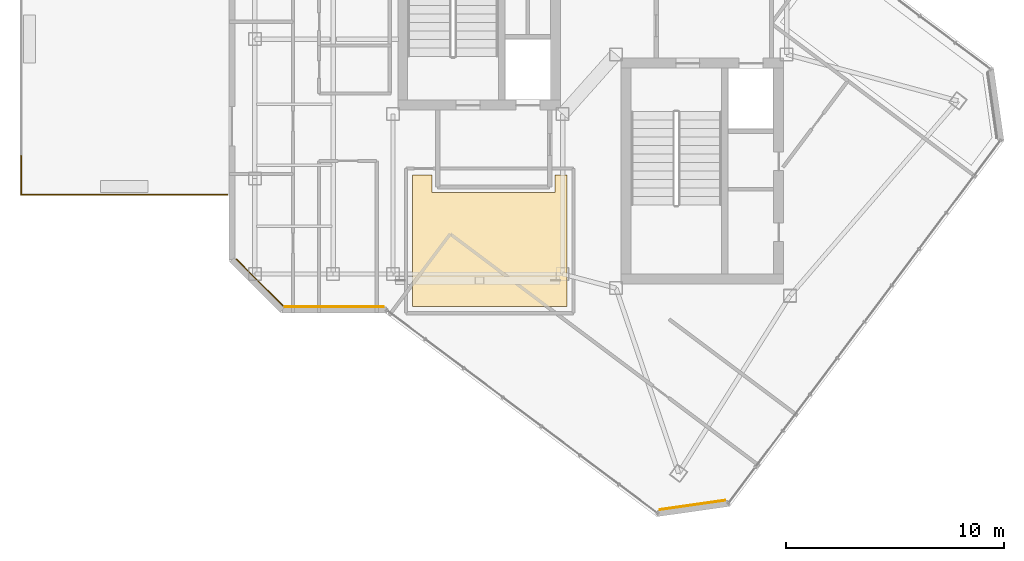
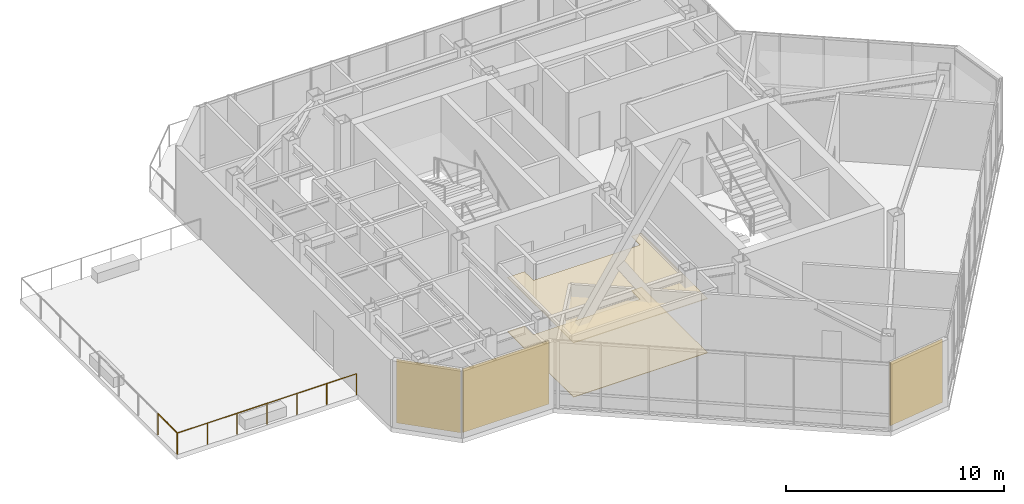
# One storey, part 19 of 21: 7 railings, 5 coverings.
"""IFC4 building model written with IfcOpenShell, lengths in metres."""

import ifcopenshell
import ifcopenshell.guid

model = None  # the IFC model being written
_history = None  # IfcOwnerHistory: only IFC2X3 demands one
_inside = {}  # id of a spatial element -> (the spatial element, [elements in it])
_under = {}  # id of a project, library or spatial element -> (it, [spatial elements below it])
_declared = {}  # id of a project -> (the project, [libraries it declares])
_typed = {}  # id of a type object -> (the type object, [elements of that type])
_made_of = {}  # id of a material, layer set ... -> (it, [elements and type objects made of it])


def new_model(schema):
    """Start an empty IFC model of exactly this schema.

    Asked for "IFC4X3", IfcOpenShell would pick the latest addendum, in which some entities
    have other attributes; the version numbers below select the first issue.
    IFC2X3 requires an IfcOwnerHistory on every rooted entity: one is made here for all.
    """
    global model, _history
    if schema == "IFC4X3":
        model = ifcopenshell.file(schema_version=(4, 3, 0, 0))
    else:
        model = ifcopenshell.file(schema=schema)
    _inside.clear()
    _under.clear()
    _declared.clear()
    _typed.clear()
    _made_of.clear()
    _history = None
    if model.schema == "IFC2X3":
        org = make("IfcOrganization", Name="unknown")
        user = make(
            "IfcPersonAndOrganization",
            ThePerson=make("IfcPerson", FamilyName="unknown"),
            TheOrganization=org,
        )
        app = make(
            "IfcApplication",
            ApplicationDeveloper=org,
            Version="unknown",
            ApplicationFullName="unknown",
            ApplicationIdentifier="unknown",
        )
        _history = make(
            "IfcOwnerHistory",
            OwningUser=user,
            OwningApplication=app,
            ChangeAction="ADDED",
            CreationDate=0,
        )
    return model


def make(cls, **values):
    """One entity of the class cls with the attributes given. An attribute that is None is left unset."""
    return model.create_entity(
        cls, **{name: value for name, value in values.items() if value is not None}
    )


def rooted(cls, **values):
    """An entity with a GlobalId (a new one), such as an element, a storey or a relation."""
    return make(cls, GlobalId=ifcopenshell.guid.new(), OwnerHistory=_history, **values)


def si_unit(unit_type, name, prefix=None):
    """IfcSIUnit, for example si_unit("LENGTHUNIT", "METRE", prefix="MILLI")."""
    return make("IfcSIUnit", UnitType=unit_type, Prefix=prefix, Name=name)


def assignment(units):
    """IfcUnitAssignment: the units of a project."""
    return None if units is None else make("IfcUnitAssignment", Units=units)


def point(xyz):
    """IfcCartesianPoint."""
    return None if xyz is None else make("IfcCartesianPoint", Coordinates=xyz)


def direction(xyz):
    """IfcDirection."""
    return None if xyz is None else make("IfcDirection", DirectionRatios=xyz)


def frame(location, z_axis=None, x_axis=None):
    """IfcAxis2Placement3D, a coordinate frame: its origin and axes. An axis left out is left unset."""
    return make(
        "IfcAxis2Placement3D",
        Location=point(location),
        Axis=direction(z_axis),
        RefDirection=direction(x_axis),
    )


def frame_2d(location, x_axis=None):
    """IfcAxis2Placement2D, a coordinate frame in the plane: its origin and x axis."""
    return make(
        "IfcAxis2Placement2D", Location=point(location), RefDirection=direction(x_axis)
    )


def origin():
    """The frame at (0, 0, 0) with its axes left unset."""
    return frame((0.0, 0.0, 0.0))


def origin_2d():
    """The frame at (0, 0) in the plane with its x axis left unset."""
    return frame_2d((0.0, 0.0))


def place(relative_to, where):
    """IfcLocalPlacement: puts the frame where relative to a parent placement (None: the world)."""
    return make(
        "IfcLocalPlacement", PlacementRelTo=relative_to, RelativePlacement=where
    )


def context(
    kind, dimensions, precision=None, world=None, true_north=None, identifier=None
):
    """IfcGeometricRepresentationContext, for example the 3D "Model" context."""
    return make(
        "IfcGeometricRepresentationContext",
        ContextIdentifier=identifier,
        ContextType=kind,
        CoordinateSpaceDimension=dimensions,
        Precision=precision,
        WorldCoordinateSystem=world,
        TrueNorth=true_north,
    )


def subcontext(parent, identifier, kind, view, scale=None):
    """IfcGeometricRepresentationSubContext, for example "Body" below "Model"."""
    return make(
        "IfcGeometricRepresentationSubContext",
        ContextIdentifier=identifier,
        ContextType=kind,
        ParentContext=parent,
        TargetScale=scale,
        TargetView=view,
    )


def project(units=None, contexts=None):
    """IfcProject with its units and contexts."""
    return rooted(
        "IfcProject",
        Name="project",
        RepresentationContexts=contexts,
        UnitsInContext=assignment(units),
    )


def spatial(cls, under=None, at=None, **own):
    """A site, building, storey or space (cls), placed at a placement, below another one or the project."""
    s = rooted(cls, ObjectPlacement=at, **own)
    if under is not None:
        _under.setdefault(under.id(), (under, []))[1].append(s)
    return s


def polyline(points):
    """IfcPolyline through the points."""
    return make("IfcPolyline", Points=[point(p) for p in points])


def profile(cls, at=None, kind="AREA", **sizes):
    """A parametric profile (cls). Its sizes go by their IFC names, for example OverallWidth=200.0."""
    return make(cls, ProfileType=kind, Position=at, **sizes)


def rectangle(**sizes):
    """IfcRectangleProfileDef."""
    return profile("IfcRectangleProfileDef", **sizes)


def circle(**sizes):
    """IfcCircleProfileDef."""
    return profile("IfcCircleProfileDef", **sizes)


def outline(outer, holes=None, kind="AREA"):
    """IfcArbitraryClosedProfileDef: a profile drawn as a closed curve; with holes, ...WithVoids."""
    if holes is None:
        return make("IfcArbitraryClosedProfileDef", ProfileType=kind, OuterCurve=outer)
    return make(
        "IfcArbitraryProfileDefWithVoids",
        ProfileType=kind,
        OuterCurve=outer,
        InnerCurves=holes,
    )


def extrude(swept, where, along, depth):
    """IfcExtrudedAreaSolid: the profile swept, set in the frame where, extruded along a direction by depth."""
    return make(
        "IfcExtrudedAreaSolid",
        SweptArea=swept,
        Position=where,
        ExtrudedDirection=direction(along),
        Depth=depth,
    )


def shape(context_of_items, identifier, shape_type, items):
    """IfcShapeRepresentation: the items that make up one representation, for example the "Body"."""
    return make(
        "IfcShapeRepresentation",
        ContextOfItems=context_of_items,
        RepresentationIdentifier=identifier,
        RepresentationType=shape_type,
        Items=items,
    )


def material(Name=None, Category=None):
    """IfcMaterial."""
    return make("IfcMaterial", Name=Name, Category=Category)


def layer(
    of_material, thickness, ventilated=None, Name=None, Category=None, Priority=None
):
    """IfcMaterialLayer: one layer of a wall or slab, of a material (None: an air gap)."""
    return make(
        "IfcMaterialLayer",
        Material=of_material,
        LayerThickness=thickness,
        IsVentilated=ventilated,
        Name=Name,
        Category=Category,
        Priority=Priority,
    )


def layer_set(layers, Name=None):
    """IfcMaterialLayerSet."""
    return make("IfcMaterialLayerSet", MaterialLayers=layers, LayerSetName=Name)


def made_of(thing, what):
    """Note that an element or type object is made of a material, layer set ...; save() writes the relation."""
    if what is not None:
        _made_of.setdefault(what.id(), (what, []))[1].append(thing)
    return thing


def type_object(cls, material=None, **own):
    """A type object (cls), such as IfcWallType, which elements share."""
    return made_of(rooted(cls, **own), material)


def element(
    cls,
    number,
    at=None,
    inside=None,
    cuts=None,
    type_object=None,
    material=None,
    context=None,
    identifier="Body",
    shape_type=None,
    held_by="IfcProductDefinitionShape",
    body=None,
    shapes=None,
    **own,
):
    """One element of the class cls, such as IfcWall. Its Tag is "e" and its number.

    at: its placement. inside: the storey or other place that contains it. cuts: it is an
    opening in that element (IfcRelVoidsElement). A single representation is given by context,
    identifier, shape_type and body (its items); several are given by shapes. held_by: the class
    of the entity that holds the representations. save() writes the other relations.
    """
    e = rooted(cls, Tag="e%d" % number, ObjectPlacement=at, **own)
    if body is not None:
        shapes = [shape(context, identifier, shape_type, body)]
    if shapes is not None:
        e.Representation = make(held_by, Representations=shapes)
    if inside is not None:
        _inside.setdefault(inside.id(), (inside, []))[1].append(e)
    if cuts is not None:
        rooted(
            "IfcRelVoidsElement", RelatingBuildingElement=cuts, RelatedOpeningElement=e
        )
    if type_object is not None:
        _typed.setdefault(type_object.id(), (type_object, []))[1].append(e)
    return made_of(e, material)


def aggregate(whole, parts):
    """IfcRelAggregates: a whole, such as a stair, and the parts it consists of."""
    return rooted("IfcRelAggregates", RelatingObject=whole, RelatedObjects=parts)


def save(model, path):
    """Write the relations noted so far, then the file.

    IfcRelAggregates (storeys below a building ...), IfcRelContainedInSpatialStructure (elements
    in a storey), IfcRelDefinesByType, IfcRelAssociatesMaterial and IfcRelDeclares: one each for
    every whole, place, type object, material and project.
    """
    for whole, parts in _under.values():
        aggregate(whole, parts)
    for where, things in _inside.values():
        rooted(
            "IfcRelContainedInSpatialStructure",
            RelatedElements=things,
            RelatingStructure=where,
        )
    for kind, things in _typed.values():
        rooted("IfcRelDefinesByType", RelatedObjects=things, RelatingType=kind)
    for what, things in _made_of.values():
        rooted("IfcRelAssociatesMaterial", RelatedObjects=things, RelatingMaterial=what)
    for by, libraries in _declared.values():
        rooted("IfcRelDeclares", RelatingContext=by, RelatedDefinitions=libraries)
    model.write(path)


model = new_model("IFC4")

# Units and contexts
model_context = context("Model", 3, precision=1e-05, world=origin(), true_north=direction((0.0, 1.0)))
body_context = subcontext(model_context, "Body", "Model", "MODEL_VIEW")
ifc_project = project(units=[si_unit("LENGTHUNIT", "METRE"), si_unit("AREAUNIT", "SQUARE_METRE"), si_unit("VOLUMEUNIT", "CUBIC_METRE"), si_unit("PLANEANGLEUNIT", "RADIAN"), si_unit("MASSUNIT", "GRAM", prefix="KILO")], contexts=[model_context])

# Site, building, storey
site_placement = place(None, origin())
site = spatial("IfcSite", under=ifc_project, at=site_placement, CompositionType="ELEMENT")
building_placement = place(site_placement, origin())
building = spatial("IfcBuilding", under=site, at=building_placement, Name="Hatsunagi Terrace Concourse", CompositionType="ELEMENT")
storey_placement = place(building_placement, frame((0.0, 0.0, 265.949951171875)))
storey = spatial("IfcBuildingStorey", under=building, at=storey_placement, Name="L70", CompositionType="ELEMENT", Elevation=265.949951171875)

# Covering
ifc_material_1 = material(Name="Granite stone paving", Category="masonry")
ifc_layer_1 = layer(ifc_material_1, 0.02490234375)
ifc_layer_set_1 = layer_set([ifc_layer_1], Name="GraniteStoneFlooring_25")
covering_type_1 = type_object("IfcCoveringType", Name="GraniteStoneFlooring_25", PredefinedType="FLOORING", material=ifc_layer_set_1)
covering_1_placement = place(storey_placement, origin())
element("IfcCovering", 1, at=covering_1_placement, inside=storey, type_object=covering_type_1, Name="Finished Flooring L70-1", PredefinedType="FLOORING", context=body_context, shape_type="SweptSolid", body=[
    extrude(outline(polyline([(33.550048828125, 29.75), (33.006103515625, 29.75), (32.9990234375, 28.94189453125), (27.35205078125, 28.94189453125), (27.343994140625, 29.75), (26.449951171875, 29.75), (26.449951171875, 23.699951171875), (33.550048828125, 23.699951171875), (33.550048828125, 29.75)])), origin(), (0.0, 0.0, 1.0), 0.025146484375),
])

# Railings
ifc_material_2 = material(Name="Stainless Steel SUS316 Post-and-Rail Guard", Category="steel")
ifc_layer_2 = layer(ifc_material_2, 0.080078125)
ifc_layer_set_2 = layer_set([ifc_layer_2], Name="TerracePlantedGuardRail_1200")
railing_type = type_object("IfcRailingType", Name="TerracePlantedGuardRail_1200", PredefinedType="GUARDRAIL", material=ifc_layer_set_2)
railing_1_placement = place(storey_placement, frame((17.93798828125, 28.85009765625, 0.010009765625)))
element("IfcRailing", 2, at=railing_1_placement, inside=storey, type_object=railing_type, Name="Sky Garden Guardrail GRD-02 TER-L70-1-1 #1", PredefinedType="GUARDRAIL", context=body_context, shape_type="SweptSolid", body=[
    extrude(circle(Radius=0.02392578125, at=origin_2d()), frame((0.0, 0.0, 1.17578125), z_axis=(-1.0, 0.0, 0.0), x_axis=(0.0, -1.0, 0.0)), (0.0, 0.0, 1.0), 1.576904296875),
    extrude(circle(Radius=0.02099609375, at=origin_2d()), origin(), (0.0, 0.0, 1.0), 1.15185546875),
    extrude(circle(Radius=0.02099609375, at=origin_2d()), frame((-1.576904296875, 0.0, 0.0)), (0.0, 0.0, 1.0), 1.15185546875),
])
railing_2_placement = place(storey_placement, frame((16.35302734375, 28.85009765625, 0.010009765625)))
element("IfcRailing", 3, at=railing_2_placement, inside=storey, type_object=railing_type, Name="Sky Garden Guardrail GRD-02 TER-L70-1-1 #2", PredefinedType="GUARDRAIL", context=body_context, shape_type="SweptSolid", body=[
    extrude(circle(Radius=0.02392578125, at=origin_2d()), frame((0.0, 0.0, 1.17578125), z_axis=(-1.0, 0.0, 0.0), x_axis=(0.0, -1.0, 0.0)), (0.0, 0.0, 1.0), 1.573974609375),
    extrude(circle(Radius=0.02099609375, at=origin_2d()), origin(), (0.0, 0.0, 1.0), 1.15185546875),
    extrude(circle(Radius=0.02099609375, at=origin_2d()), frame((-1.573974609375, 0.0, 0.0)), (0.0, 0.0, 1.0), 1.15185546875),
])
for number, where, name in (
    (4, (14.77099609375, 28.85009765625, 0.010009765625), "Sky Garden Guardrail GRD-02 TER-L70-1-1 #3"),
    (5, (13.18994140625, 28.85009765625, 0.010009765625), "Sky Garden Guardrail GRD-02 TER-L70-1-1 #4"),
):
    element("IfcRailing", number, at=place(storey_placement, frame(where)), inside=storey, type_object=railing_type, Name=name, PredefinedType="GUARDRAIL", context=body_context, shape_type="SweptSolid", body=[
        extrude(circle(Radius=0.02392578125, at=origin_2d()), frame((0.0, 0.0, 1.17578125), z_axis=(-1.0, 0.0, 0.0), x_axis=(0.0, -1.0, 0.0)), (0.0, 0.0, 1.0), 1.572998046875),
        extrude(circle(Radius=0.02099609375, at=origin_2d()), origin(), (0.0, 0.0, 1.0), 1.15185546875),
        extrude(circle(Radius=0.02099609375, at=origin_2d()), frame((-1.572998046875, 0.0, 0.0)), (0.0, 0.0, 1.0), 1.15185546875),
    ])
railing_3_placement = place(storey_placement, frame((11.60888671875, 28.85009765625, 0.010009765625)))
element("IfcRailing", 6, at=railing_3_placement, inside=storey, type_object=railing_type, Name="Sky Garden Guardrail GRD-02 TER-L70-1-1 #5", PredefinedType="GUARDRAIL", context=body_context, shape_type="SweptSolid", body=[
    extrude(circle(Radius=0.02392578125, at=origin_2d()), frame((0.0, 0.0, 1.17578125), z_axis=(-1.0, 0.0, 0.0), x_axis=(0.0, -1.0, 0.0)), (0.0, 0.0, 1.0), 1.573974609375),
    extrude(circle(Radius=0.02099609375, at=origin_2d()), origin(), (0.0, 0.0, 1.0), 1.15185546875),
    extrude(circle(Radius=0.02099609375, at=origin_2d()), frame((-1.573974609375, 0.0, 0.0)), (0.0, 0.0, 1.0), 1.15185546875),
])
railing_4_placement = place(storey_placement, frame((10.027099609375, 28.85009765625, 0.010009765625)))
element("IfcRailing", 7, at=railing_4_placement, inside=storey, type_object=railing_type, Name="Sky Garden Guardrail GRD-02 TER-L70-1-1 #6", PredefinedType="GUARDRAIL", context=body_context, shape_type="SweptSolid", body=[
    extrude(circle(Radius=0.02392578125, at=origin_2d()), frame((0.0, 0.0, 1.17578125), z_axis=(-1.0, 0.0, 0.0), x_axis=(0.0, -1.0, 0.0)), (0.0, 0.0, 1.0), 1.5771484375),
    extrude(circle(Radius=0.02099609375, at=origin_2d()), origin(), (0.0, 0.0, 1.0), 1.15185546875),
    extrude(circle(Radius=0.02099609375, at=origin_2d()), frame((-1.5771484375, 0.0, 0.0)), (0.0, 0.0, 1.0), 1.15185546875),
])
railing_5_placement = place(storey_placement, frame((8.449951171875, 28.85009765625, 0.010009765625)))
element("IfcRailing", 8, at=railing_5_placement, inside=storey, type_object=railing_type, Name="Sky Garden Guardrail GRD-02 TER-L70-1-1 #7", PredefinedType="GUARDRAIL", context=body_context, shape_type="SweptSolid", body=[
    extrude(circle(Radius=0.02392578125, at=origin_2d()), frame((0.0, 0.0, 1.17578125), z_axis=(0.0, 1.0, 0.0), x_axis=(-1.0, 0.0, 0.0)), (0.0, 0.0, 1.0), 1.783935546875),
    extrude(circle(Radius=0.02099609375, at=origin_2d()), origin(), (0.0, 0.0, 1.0), 1.15185546875),
    extrude(circle(Radius=0.02099609375, at=origin_2d()), frame((0.0, 1.783935546875, 0.0)), (0.0, 0.0, 1.0), 1.15185546875),
])

# Coverings
ifc_material_3 = material(Name="Unglazed Warm Terracotta Rainscreen Tile", Category="masonry")
ifc_layer_3 = layer(ifc_material_3, 0.044921875)
ifc_layer_set_3 = layer_set([ifc_layer_3], Name="TerracottaRainscreenCladding_45")
covering_type_2 = type_object("IfcCoveringType", Name="TerracottaRainscreenCladding_45", PredefinedType="CLADDING", material=ifc_layer_set_3)
covering_2_placement = place(storey_placement, frame((39.318115234375, 14.5791015625, 0.10009765625), z_axis=(0.0, 0.0, 1.0), x_axis=(-0.989973920543, -0.141250262458, 0.0)))
element("IfcCovering", 9, at=covering_2_placement, inside=storey, type_object=covering_type_2, Name="Terracotta Rainscreen Cladding L70-04", PredefinedType="CLADDING", context=body_context, shape_type="SweptSolid", body=[
    extrude(rectangle(XDim=3.0380859375, YDim=0.044921875, at=origin_2d()), origin(), (0.0, 0.0, 1.0), 3.550048828125),
])
covering_3_placement = place(storey_placement, frame((22.85205078125, 23.701904296875, 0.10009765625), z_axis=(0.0, 0.0, 1.0), x_axis=(-1.0, 0.0, 0.0)))
element("IfcCovering", 10, at=covering_3_placement, inside=storey, type_object=covering_type_2, Name="Terracotta Rainscreen Cladding L70-06", PredefinedType="CLADDING", context=body_context, shape_type="SweptSolid", body=[
    extrude(rectangle(XDim=4.549072265625, YDim=0.044921875, at=origin_2d()), origin(), (0.0, 0.0, 1.0), 3.550048828125),
])
covering_4_placement = place(storey_placement, frame((19.4140625, 24.81396484375, 0.10009765625), z_axis=(0.0, 0.0, 1.0), x_axis=(-0.707106781187, 0.707106781187, 0.0)))
element("IfcCovering", 11, at=covering_4_placement, inside=storey, type_object=covering_type_2, Name="Terracotta Rainscreen Cladding L70-07", PredefinedType="CLADDING", context=body_context, shape_type="SweptSolid", body=[
    extrude(rectangle(XDim=3.0380859375, YDim=0.044921875, at=origin_2d()), origin(), (0.0, 0.0, 1.0), 3.550048828125),
])
ifc_material_4 = material(Name="Hardwood timber", Category="wood")
ifc_layer_4 = layer(ifc_material_4, 0.034912109375)
ifc_layer_set_4 = layer_set([ifc_layer_4], Name="TimberBaffleCeiling_35")
covering_type_3 = type_object("IfcCoveringType", Name="TimberBaffleCeiling_35", PredefinedType="CEILING", material=ifc_layer_set_4)
covering_5_placement = place(storey_placement, frame((0.0, 0.0, 3.030029296875)))
element("IfcCovering", 12, at=covering_5_placement, inside=storey, type_object=covering_type_3, Name="Suspended Ceiling L70-1", PredefinedType="CEILING", context=body_context, shape_type="SweptSolid", body=[
    extrude(outline(polyline([(33.550048828125, 29.75), (33.006103515625, 29.75), (32.9990234375, 28.94189453125), (27.35205078125, 28.94189453125), (27.343994140625, 29.75), (26.449951171875, 29.75), (26.449951171875, 23.699951171875), (33.550048828125, 23.699951171875), (33.550048828125, 29.75)])), origin(), (0.0, 0.0, 1.0), 0.034912109375),
])

save(model, "model.ifc")
